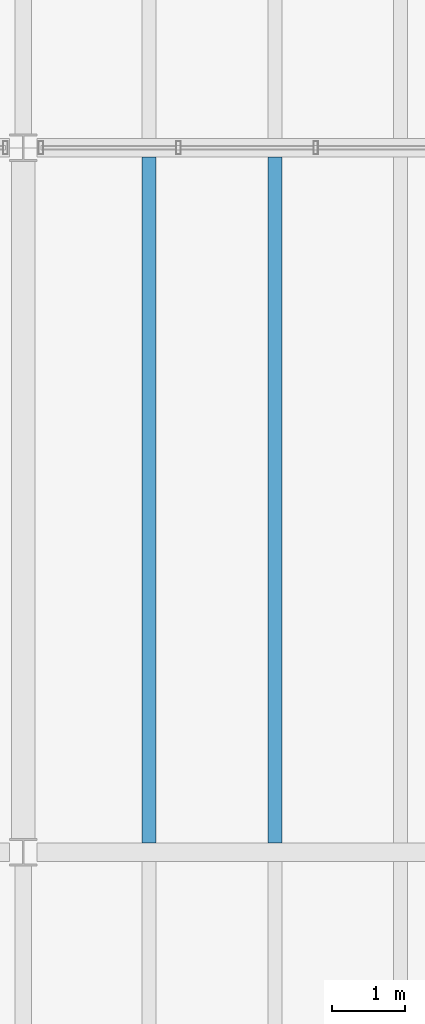
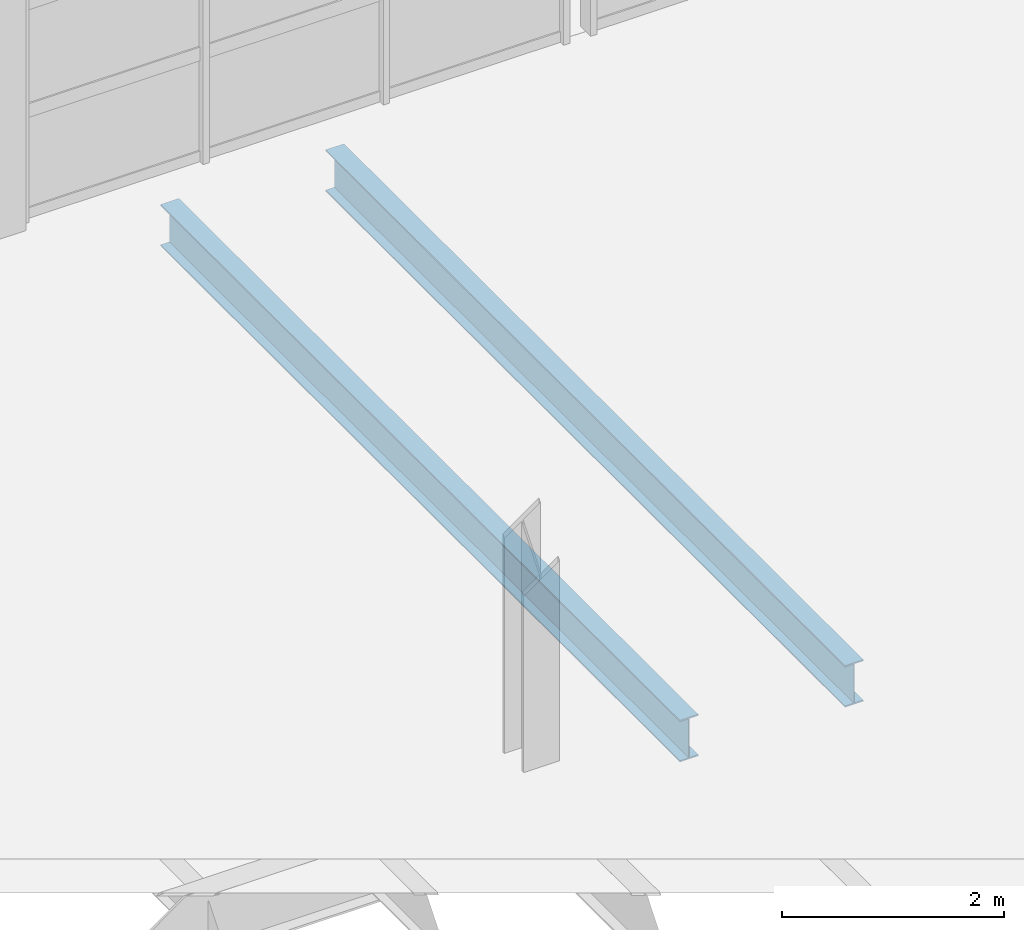
# One storey, part 16 of 114: 2 beams.
"""IFC4 building model written with IfcOpenShell, lengths in metres."""

from ifc_helpers import new_model, si_unit, direction, frame, origin, origin_2d, place, context, subcontext, project, spatial, i_section, extrude, material, material_profile, profile_set, type_object, element, save


model = new_model("IFC4")

# Units and contexts
model_context = context("Model", 3, precision=1e-05, world=origin(), true_north=direction((0.0, 1.0)))
body_context = subcontext(model_context, "Body", "Model", "MODEL_VIEW")
ifc_project = project(units=[si_unit("LENGTHUNIT", "METRE"), si_unit("AREAUNIT", "SQUARE_METRE"), si_unit("VOLUMEUNIT", "CUBIC_METRE"), si_unit("PLANEANGLEUNIT", "RADIAN"), si_unit("MASSUNIT", "GRAM", prefix="KILO")], contexts=[model_context])

# Site, building, storey
site_placement = place(None, origin())
site = spatial("IfcSite", under=ifc_project, at=site_placement, CompositionType="ELEMENT")
building_placement = place(site_placement, origin())
building = spatial("IfcBuilding", under=site, at=building_placement, Name="Kelmvaro Bay Concert Hall", CompositionType="ELEMENT")
storey_placement = place(building_placement, frame((0.0, 0.0, 4.800048828125)))
storey = spatial("IfcBuildingStorey", under=building, at=storey_placement, Name="L01", CompositionType="ELEMENT", Elevation=4.800048828125)

# Beams
ifc_material = material(Name="Steel ASTM A992 Grade 50", Category="steel")
ifc_material_profile = material_profile(ifc_material, i_section(OverallWidth=0.19091796875, OverallDepth=0.45703125, WebThickness=0.009033203125, FlangeThickness=0.014404296875, at=origin_2d()), Name="W18X50")
ifc_profile_set = profile_set([ifc_material_profile], Name="Steel ASTM A992 Grade 50")
beam_type = type_object("IfcBeamType", Name="Standard Composite Floor Joist W18x50", PredefinedType="JOIST", material=ifc_profile_set)
for number, where, z_axis, x_axis, name in (
    (1, (13.71435546875, 47.528076171875, -0.478515625), (0.0, 1.0, 0.0), (-1.0, 0.0, 0.0), "L01 Floor Joist JST-L01-0466"),
    (2, (15.4287109375, 47.528076171875, -0.478515625), (0.0, 1.0, 0.0), (-1.0, 0.0, 0.0), "L01 Floor Joist JST-L01-0467"),
):
    element("IfcBeam", number, at=place(storey_placement, frame(where, z_axis=z_axis, x_axis=x_axis)), inside=storey, type_object=beam_type, Name=name, PredefinedType="JOIST", context=body_context, shape_type="SweptSolid", body=[
        extrude(i_section(OverallWidth=0.19091796875, OverallDepth=0.45703125, WebThickness=0.009033203125, FlangeThickness=0.014404296875, at=origin_2d()), origin(), (0.0, 0.0, 1.0), 9.343994140625),
    ])

save(model, "model.ifc")
